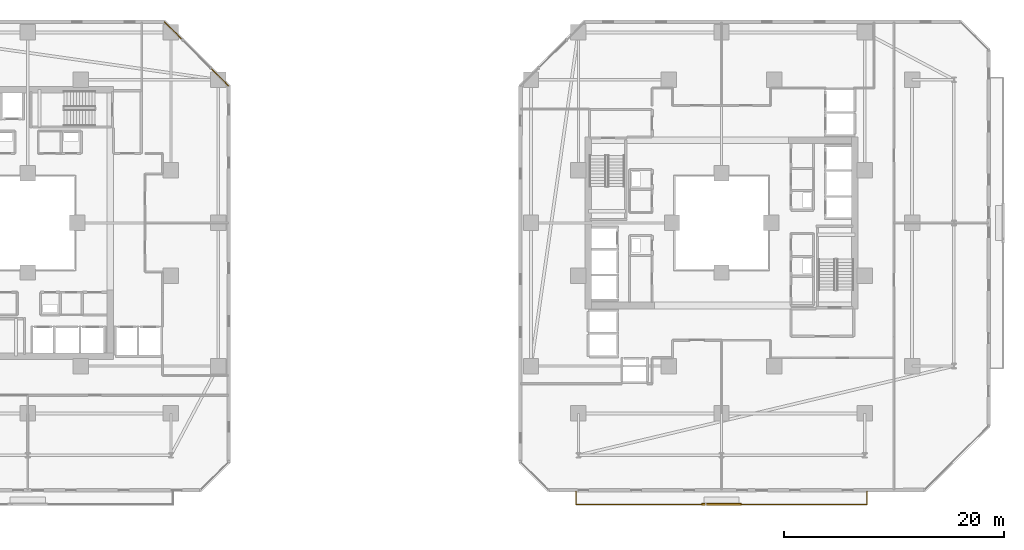
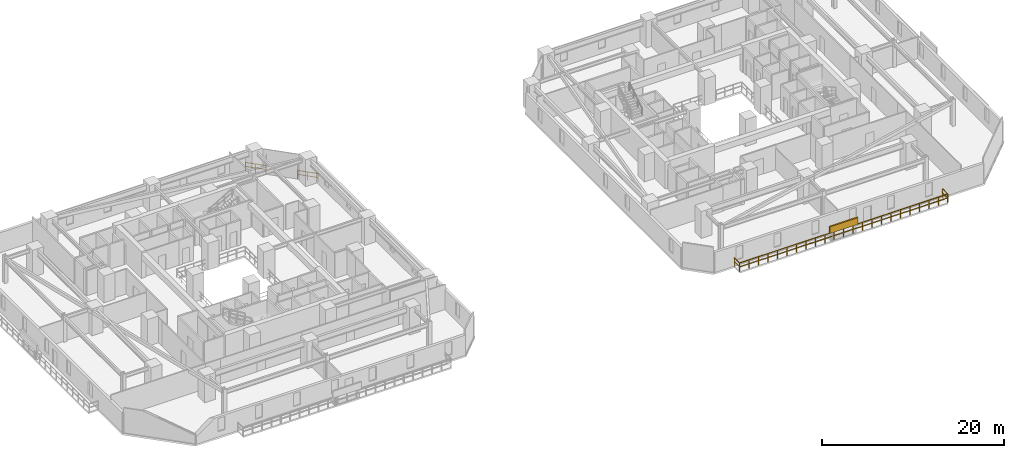
# One storey, part 31 of 33: 3 railings, 1 shading device.
"""IFC4 building model written with IfcOpenShell, lengths in metres."""

from ifc_helpers import new_model, si_unit, direction, frame, origin, origin_2d, place, context, subcontext, project, spatial, rectangle, extrude, material, type_object, element, save


model = new_model("IFC4")

# Units and contexts
model_context = context("Model", 3, precision=1e-05, world=origin(), true_north=direction((0.0, 1.0)))
body_context = subcontext(model_context, "Body", "Model", "MODEL_VIEW")
ifc_project = project(units=[si_unit("LENGTHUNIT", "METRE"), si_unit("AREAUNIT", "SQUARE_METRE"), si_unit("VOLUMEUNIT", "CUBIC_METRE"), si_unit("PLANEANGLEUNIT", "RADIAN"), si_unit("MASSUNIT", "GRAM", prefix="KILO")], contexts=[model_context])

# Site, building, storey
site_placement = place(None, origin())
site = spatial("IfcSite", under=ifc_project, at=site_placement, CompositionType="ELEMENT")
building_placement = place(site_placement, origin())
building = spatial("IfcBuilding", under=site, at=building_placement, Name="Thornwick Lancets Civic Towers", CompositionType="ELEMENT")
storey_placement = place(building_placement, frame((0.0, 0.0, 31.5)))
storey = spatial("IfcBuildingStorey", under=building, at=storey_placement, Name="L07", CompositionType="ELEMENT", Elevation=31.5)

# Railings
ifc_material_1 = material(Name="Terracotta-capped laminated glass balustrade S355", Category="masonry")
railing_type = type_object("IfcRailingType", Name="RAIL_TERR_GUARD", PredefinedType="GUARDRAIL", material=ifc_material_1)
for number, where, name in (
    (1, (43.75439453125, 39.42138671875, 0.0), "L07 Tower A Chamfer Spandrel Guard E3-1"),
    (2, (39.57177734375, 43.60400390625, 0.0), "L07 Tower A Chamfer Spandrel Guard E3-2"),
):
    element("IfcRailing", number, at=place(storey_placement, frame(where)), inside=storey, type_object=railing_type, Name=name, PredefinedType="GUARDRAIL", context=body_context, shape_type="SweptSolid", body=[
        extrude(rectangle(XDim=0.048095703125, YDim=0.048095703125, at=origin_2d()), frame((0.0, 0.0, 1.1259765625), z_axis=(-0.707106781187, 0.707106781187, 0.0), x_axis=(-0.707106781187, -0.707106781187, 0.0)), (0.0, 0.0, 1.0), 2.333984375),
        extrude(rectangle(XDim=0.0419921875, YDim=0.0419921875, at=origin_2d()), frame((-0.026611328125, 0.026611328125, 0.597900390625), z_axis=(-0.707106781187, 0.707106781187, 0.0), x_axis=(-0.707106781187, -0.707106781187, 0.0)), (0.0, 0.0, 1.0), 1.092041015625),
        extrude(rectangle(XDim=0.0419921875, YDim=0.0419921875, at=origin_2d()), frame((-0.851806640625, 0.851806640625, 0.597900390625), z_axis=(-0.707106781187, 0.707106781187, 0.0), x_axis=(-0.707106781187, -0.707106781187, 0.0)), (0.0, 0.0, 1.0), 1.092041015625),
        extrude(rectangle(XDim=0.0419921875, YDim=0.0419921875, at=origin_2d()), origin(), (0.0, 0.0, 1.0), 1.095703125),
        extrude(rectangle(XDim=0.0419921875, YDim=0.0419921875, at=origin_2d()), frame((-0.8251953125, 0.8251953125, 0.0)), (0.0, 0.0, 1.0), 1.095703125),
        extrude(rectangle(XDim=0.0419921875, YDim=0.0419921875, at=origin_2d()), frame((-1.650390625, 1.650390625, 0.0)), (0.0, 0.0, 1.0), 1.095703125),
    ])
railing_placement = place(storey_placement, frame((75.300048828125, 2.60009765625, 0.0)))
element("IfcRailing", 3, at=railing_placement, inside=storey, type_object=railing_type, Name="L07 Tower B Balcony Guard S", PredefinedType="GUARDRAIL", context=body_context, shape_type="SweptSolid", body=[
    extrude(rectangle(XDim=0.048095703125, YDim=0.048095703125, at=origin_2d()), frame((0.0, 0.0, 1.1259765625), z_axis=(0.0, -1.0, 0.0), x_axis=(1.0, 0.0, 0.0)), (0.0, 0.0, 1.0), 1.138916015625),
    extrude(rectangle(XDim=0.0419921875, YDim=0.0419921875, at=origin_2d()), frame((0.0, -0.03759765625, 0.597900390625), z_axis=(0.0, -1.0, 0.0), x_axis=(1.0, 0.0, 0.0)), (0.0, 0.0, 1.0), 1.09521484375),
    extrude(rectangle(XDim=0.048095703125, YDim=0.048095703125, at=origin_2d()), frame((0.03125, -1.170166015625, 1.1259765625), z_axis=(1.0, 0.0, 0.0), x_axis=(0.0, 1.0, 0.0)), (0.0, 0.0, 1.0), 26.33740234375),
    extrude(rectangle(XDim=0.0419921875, YDim=0.0419921875, at=origin_2d()), frame((0.03759765625, -1.170166015625, 0.597900390625), z_axis=(1.0, 0.0, 0.0), x_axis=(0.0, 1.0, 0.0)), (0.0, 0.0, 1.0), 1.125),
    extrude(rectangle(XDim=0.0419921875, YDim=0.0419921875, at=origin_2d()), frame((1.237548828125, -1.170166015625, 0.597900390625), z_axis=(1.0, 0.0, 0.0), x_axis=(0.0, 1.0, 0.0)), (0.0, 0.0, 1.0), 1.125),
    extrude(rectangle(XDim=0.0419921875, YDim=0.0419921875, at=origin_2d()), frame((2.4375, -1.170166015625, 0.597900390625), z_axis=(1.0, 0.0, 0.0), x_axis=(0.0, 1.0, 0.0)), (0.0, 0.0, 1.0), 1.125),
    extrude(rectangle(XDim=0.0419921875, YDim=0.0419921875, at=origin_2d()), frame((3.637451171875, -1.170166015625, 0.597900390625), z_axis=(1.0, 0.0, 0.0), x_axis=(0.0, 1.0, 0.0)), (0.0, 0.0, 1.0), 1.125),
    extrude(rectangle(XDim=0.0419921875, YDim=0.0419921875, at=origin_2d()), frame((4.83740234375, -1.170166015625, 0.597900390625), z_axis=(1.0, 0.0, 0.0), x_axis=(0.0, 1.0, 0.0)), (0.0, 0.0, 1.0), 1.125),
    extrude(rectangle(XDim=0.0419921875, YDim=0.0419921875, at=origin_2d()), frame((6.037353515625, -1.170166015625, 0.597900390625), z_axis=(1.0, 0.0, 0.0), x_axis=(0.0, 1.0, 0.0)), (0.0, 0.0, 1.0), 1.125),
    extrude(rectangle(XDim=0.0419921875, YDim=0.0419921875, at=origin_2d()), frame((7.237548828125, -1.170166015625, 0.597900390625), z_axis=(1.0, 0.0, 0.0), x_axis=(0.0, 1.0, 0.0)), (0.0, 0.0, 1.0), 1.125),
    extrude(rectangle(XDim=0.0419921875, YDim=0.0419921875, at=origin_2d()), frame((8.4375, -1.170166015625, 0.597900390625), z_axis=(1.0, 0.0, 0.0), x_axis=(0.0, 1.0, 0.0)), (0.0, 0.0, 1.0), 1.125),
    extrude(rectangle(XDim=0.0419921875, YDim=0.0419921875, at=origin_2d()), frame((9.637451171875, -1.170166015625, 0.597900390625), z_axis=(1.0, 0.0, 0.0), x_axis=(0.0, 1.0, 0.0)), (0.0, 0.0, 1.0), 1.125),
    extrude(rectangle(XDim=0.0419921875, YDim=0.0419921875, at=origin_2d()), frame((10.83740234375, -1.170166015625, 0.597900390625), z_axis=(1.0, 0.0, 0.0), x_axis=(0.0, 1.0, 0.0)), (0.0, 0.0, 1.0), 1.125),
    extrude(rectangle(XDim=0.0419921875, YDim=0.0419921875, at=origin_2d()), frame((12.037353515625, -1.170166015625, 0.597900390625), z_axis=(1.0, 0.0, 0.0), x_axis=(0.0, 1.0, 0.0)), (0.0, 0.0, 1.0), 1.125),
    extrude(rectangle(XDim=0.0419921875, YDim=0.0419921875, at=origin_2d()), frame((13.237548828125, -1.170166015625, 0.597900390625), z_axis=(1.0, 0.0, 0.0), x_axis=(0.0, 1.0, 0.0)), (0.0, 0.0, 1.0), 1.125),
    extrude(rectangle(XDim=0.0419921875, YDim=0.0419921875, at=origin_2d()), frame((14.4375, -1.170166015625, 0.597900390625), z_axis=(1.0, 0.0, 0.0), x_axis=(0.0, 1.0, 0.0)), (0.0, 0.0, 1.0), 1.125),
    extrude(rectangle(XDim=0.0419921875, YDim=0.0419921875, at=origin_2d()), frame((15.637451171875, -1.170166015625, 0.597900390625), z_axis=(1.0, 0.0, 0.0), x_axis=(0.0, 1.0, 0.0)), (0.0, 0.0, 1.0), 1.125),
    extrude(rectangle(XDim=0.0419921875, YDim=0.0419921875, at=origin_2d()), frame((16.83740234375, -1.170166015625, 0.597900390625), z_axis=(1.0, 0.0, 0.0), x_axis=(0.0, 1.0, 0.0)), (0.0, 0.0, 1.0), 1.125),
    extrude(rectangle(XDim=0.0419921875, YDim=0.0419921875, at=origin_2d()), frame((18.037353515625, -1.170166015625, 0.597900390625), z_axis=(1.0, 0.0, 0.0), x_axis=(0.0, 1.0, 0.0)), (0.0, 0.0, 1.0), 1.125),
    extrude(rectangle(XDim=0.0419921875, YDim=0.0419921875, at=origin_2d()), frame((19.2373046875, -1.170166015625, 0.597900390625), z_axis=(1.0, 0.0, 0.0), x_axis=(0.0, 1.0, 0.0)), (0.0, 0.0, 1.0), 1.125),
    extrude(rectangle(XDim=0.0419921875, YDim=0.0419921875, at=origin_2d()), frame((20.4375, -1.170166015625, 0.597900390625), z_axis=(1.0, 0.0, 0.0), x_axis=(0.0, 1.0, 0.0)), (0.0, 0.0, 1.0), 1.125),
    extrude(rectangle(XDim=0.0419921875, YDim=0.0419921875, at=origin_2d()), frame((21.637451171875, -1.170166015625, 0.597900390625), z_axis=(1.0, 0.0, 0.0), x_axis=(0.0, 1.0, 0.0)), (0.0, 0.0, 1.0), 1.125),
    extrude(rectangle(XDim=0.0419921875, YDim=0.0419921875, at=origin_2d()), frame((22.83740234375, -1.170166015625, 0.597900390625), z_axis=(1.0, 0.0, 0.0), x_axis=(0.0, 1.0, 0.0)), (0.0, 0.0, 1.0), 1.125),
    extrude(rectangle(XDim=0.0419921875, YDim=0.0419921875, at=origin_2d()), frame((24.037353515625, -1.170166015625, 0.597900390625), z_axis=(1.0, 0.0, 0.0), x_axis=(0.0, 1.0, 0.0)), (0.0, 0.0, 1.0), 1.125),
    extrude(rectangle(XDim=0.0419921875, YDim=0.0419921875, at=origin_2d()), frame((25.2373046875, -1.170166015625, 0.597900390625), z_axis=(1.0, 0.0, 0.0), x_axis=(0.0, 1.0, 0.0)), (0.0, 0.0, 1.0), 1.125),
    extrude(rectangle(XDim=0.048095703125, YDim=0.048095703125, at=origin_2d()), frame((26.39990234375, -1.138916015625, 1.1259765625), z_axis=(0.0, 1.0, 0.0), x_axis=(-1.0, 0.0, 0.0)), (0.0, 0.0, 1.0), 1.138916015625),
    extrude(rectangle(XDim=0.0419921875, YDim=0.0419921875, at=origin_2d()), frame((26.39990234375, -1.132568359375, 0.597900390625), z_axis=(0.0, 1.0, 0.0), x_axis=(-1.0, 0.0, 0.0)), (0.0, 0.0, 1.0), 1.09521484375),
    extrude(rectangle(XDim=0.0419921875, YDim=0.0419921875, at=origin_2d()), origin(), (0.0, 0.0, 1.0), 1.095703125),
    extrude(rectangle(XDim=0.0419921875, YDim=0.0419921875, at=origin_2d()), frame((0.0, -1.170166015625, 0.0)), (0.0, 0.0, 1.0), 1.095703125),
    extrude(rectangle(XDim=0.0419921875, YDim=0.0419921875, at=origin_2d()), frame((1.199951171875, -1.170166015625, 0.0)), (0.0, 0.0, 1.0), 1.095703125),
    extrude(rectangle(XDim=0.0419921875, YDim=0.0419921875, at=origin_2d()), frame((2.39990234375, -1.170166015625, 0.0)), (0.0, 0.0, 1.0), 1.095703125),
    extrude(rectangle(XDim=0.0419921875, YDim=0.0419921875, at=origin_2d()), frame((3.60009765625, -1.170166015625, 0.0)), (0.0, 0.0, 1.0), 1.095703125),
    extrude(rectangle(XDim=0.0419921875, YDim=0.0419921875, at=origin_2d()), frame((4.800048828125, -1.170166015625, 0.0)), (0.0, 0.0, 1.0), 1.095703125),
    extrude(rectangle(XDim=0.0419921875, YDim=0.0419921875, at=origin_2d()), frame((6.0, -1.170166015625, 0.0)), (0.0, 0.0, 1.0), 1.095703125),
    extrude(rectangle(XDim=0.0419921875, YDim=0.0419921875, at=origin_2d()), frame((7.199951171875, -1.170166015625, 0.0)), (0.0, 0.0, 1.0), 1.095703125),
    extrude(rectangle(XDim=0.0419921875, YDim=0.0419921875, at=origin_2d()), frame((8.39990234375, -1.170166015625, 0.0)), (0.0, 0.0, 1.0), 1.095703125),
    extrude(rectangle(XDim=0.0419921875, YDim=0.0419921875, at=origin_2d()), frame((9.599853515625, -1.170166015625, 0.0)), (0.0, 0.0, 1.0), 1.095703125),
    extrude(rectangle(XDim=0.0419921875, YDim=0.0419921875, at=origin_2d()), frame((10.800048828125, -1.170166015625, 0.0)), (0.0, 0.0, 1.0), 1.095703125),
    extrude(rectangle(XDim=0.0419921875, YDim=0.0419921875, at=origin_2d()), frame((12.0, -1.170166015625, 0.0)), (0.0, 0.0, 1.0), 1.095703125),
    extrude(rectangle(XDim=0.0419921875, YDim=0.0419921875, at=origin_2d()), frame((13.199951171875, -1.170166015625, 0.0)), (0.0, 0.0, 1.0), 1.095703125),
    extrude(rectangle(XDim=0.0419921875, YDim=0.0419921875, at=origin_2d()), frame((14.39990234375, -1.170166015625, 0.0)), (0.0, 0.0, 1.0), 1.095703125),
    extrude(rectangle(XDim=0.0419921875, YDim=0.0419921875, at=origin_2d()), frame((15.599853515625, -1.170166015625, 0.0)), (0.0, 0.0, 1.0), 1.095703125),
    extrude(rectangle(XDim=0.0419921875, YDim=0.0419921875, at=origin_2d()), frame((16.800048828125, -1.170166015625, 0.0)), (0.0, 0.0, 1.0), 1.095703125),
    extrude(rectangle(XDim=0.0419921875, YDim=0.0419921875, at=origin_2d()), frame((18.0, -1.170166015625, 0.0)), (0.0, 0.0, 1.0), 1.095703125),
    extrude(rectangle(XDim=0.0419921875, YDim=0.0419921875, at=origin_2d()), frame((19.199951171875, -1.170166015625, 0.0)), (0.0, 0.0, 1.0), 1.095703125),
    extrude(rectangle(XDim=0.0419921875, YDim=0.0419921875, at=origin_2d()), frame((20.39990234375, -1.170166015625, 0.0)), (0.0, 0.0, 1.0), 1.095703125),
    extrude(rectangle(XDim=0.0419921875, YDim=0.0419921875, at=origin_2d()), frame((21.599853515625, -1.170166015625, 0.0)), (0.0, 0.0, 1.0), 1.095703125),
    extrude(rectangle(XDim=0.0419921875, YDim=0.0419921875, at=origin_2d()), frame((22.7998046875, -1.170166015625, 0.0)), (0.0, 0.0, 1.0), 1.095703125),
    extrude(rectangle(XDim=0.0419921875, YDim=0.0419921875, at=origin_2d()), frame((24.0, -1.170166015625, 0.0)), (0.0, 0.0, 1.0), 1.095703125),
    extrude(rectangle(XDim=0.0419921875, YDim=0.0419921875, at=origin_2d()), frame((25.199951171875, -1.170166015625, 0.0)), (0.0, 0.0, 1.0), 1.095703125),
    extrude(rectangle(XDim=0.0419921875, YDim=0.0419921875, at=origin_2d()), frame((26.39990234375, -1.170166015625, 0.0)), (0.0, 0.0, 1.0), 1.095703125),
    extrude(rectangle(XDim=0.0419921875, YDim=0.0419921875, at=origin_2d()), frame((26.39990234375, 0.0, 0.0)), (0.0, 0.0, 1.0), 1.095703125),
])

# Shading device
ifc_material_2 = material(Name="Extruded terracotta baguette solar screen", Category="masonry")
shading_device_type = type_object("IfcShadingDeviceType", Name="SHADE_BAGUETTE", PredefinedType="JALOUSIE", material=ifc_material_2)
shading_device_placement = place(storey_placement, frame((88.5, 1.43994140625, 1.1201171875), z_axis=(0.0, 0.0, 1.0), x_axis=(1.0, 0.0, 0.0)))
element("IfcShadingDevice", 4, at=shading_device_placement, inside=storey, type_object=shading_device_type, Name="L07 Tower B Terracotta Baguette Screen S", PredefinedType="JALOUSIE", context=body_context, shape_type="SweptSolid", body=[
    extrude(rectangle(XDim=3.60009765625, YDim=0.179931640625, at=origin_2d()), origin(), (0.0, 0.0, 1.0), 0.89990234375),
])

save(model, "model.ifc")
